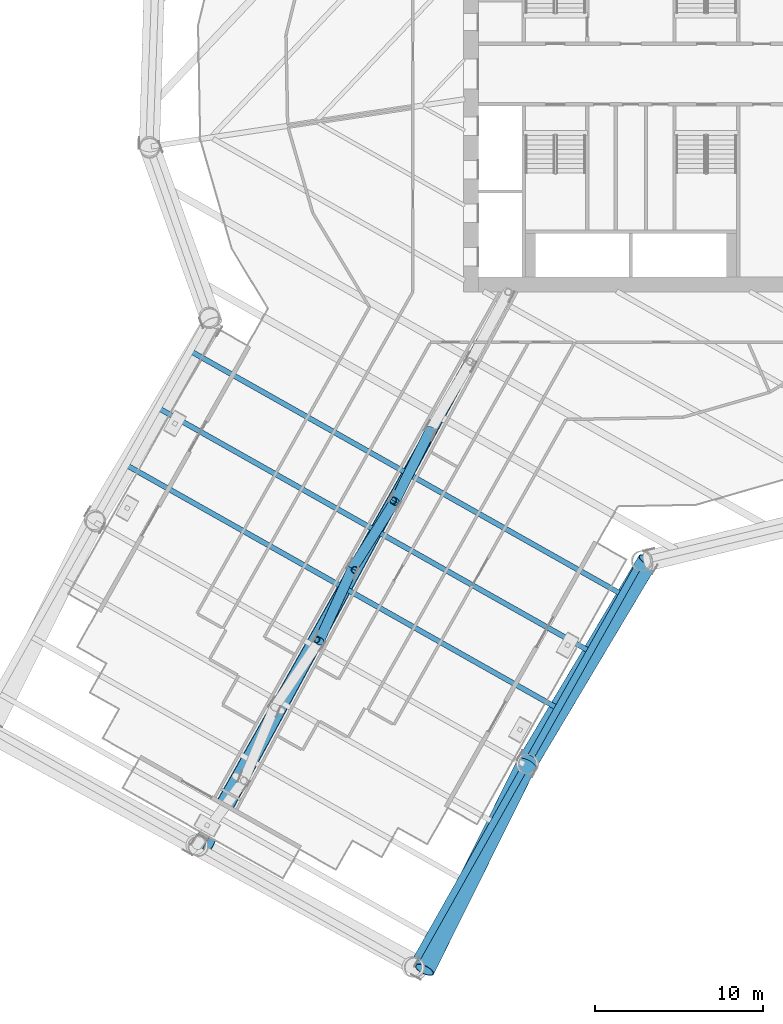
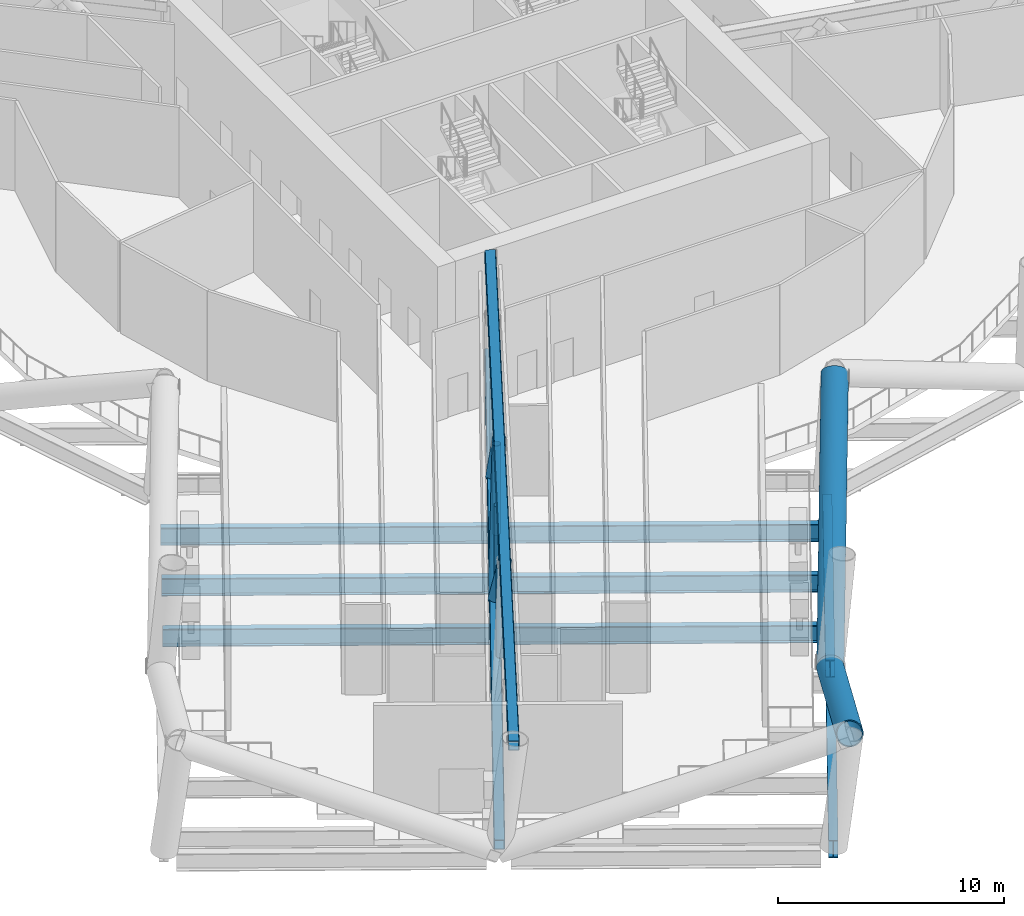
# One storey, part 2 of 39: 10 members, 5 beams.
"""IFC4 building model written with IfcOpenShell, lengths in metres."""

from ifc_helpers import new_model, si_unit, direction, frame, origin, origin_2d, place, context, subcontext, project, spatial, hollow_rectangle, hollow_circle, i_section, extrude, material, material_profile, profile_set, type_object, element, save


model = new_model("IFC4")

# Units and contexts
model_context = context("Model", 3, precision=1e-05, world=origin(), true_north=direction((0.0, 1.0)))
body_context = subcontext(model_context, "Body", "Model", "MODEL_VIEW")
ifc_project = project(units=[si_unit("LENGTHUNIT", "METRE"), si_unit("AREAUNIT", "SQUARE_METRE"), si_unit("VOLUMEUNIT", "CUBIC_METRE"), si_unit("PLANEANGLEUNIT", "RADIAN"), si_unit("MASSUNIT", "GRAM", prefix="KILO")], contexts=[model_context])

# Site, building, storey
site_placement = place(None, origin())
site = spatial("IfcSite", under=ifc_project, at=site_placement, CompositionType="ELEMENT")
building_placement = place(site_placement, origin())
building = spatial("IfcBuilding", under=site, at=building_placement, Name="Tarsis Ring Headquarters", CompositionType="ELEMENT")
storey_placement = place(building_placement, frame((0.0, 0.0, 86.800048828125)))
storey = spatial("IfcBuildingStorey", under=building, at=storey_placement, Name="L19", CompositionType="ELEMENT", Elevation=86.800048828125)

# Beams
ifc_material_1 = material(Name="Structural steel S355", Category="steel")
ifc_material_profile_1 = material_profile(ifc_material_1, i_section(OverallWidth=0.309814453125, OverallDepth=0.949951171875, WebThickness=0.0244140625, FlangeThickness=0.0439453125, at=origin_2d()), Name="W36x256")
ifc_profile_set_1 = profile_set([ifc_material_profile_1], Name="Structural steel S355")
beam_type_1 = type_object("IfcBeamType", Name="FB Floor beam W36x256", PredefinedType="JOIST", material=ifc_profile_set_1)
beam_placement = place(storey_placement, frame((-26.203857421875, -16.564697265625, -0.775146484375), z_axis=(0.871042112512, -0.491208345033, 0.0), x_axis=(0.491208345033, 0.871042112512, 0.0)))
element("IfcBeam", 1, at=beam_placement, inside=storey, type_object=beam_type_1, Name="Floor beam FB11", PredefinedType="JOIST", context=body_context, shape_type="SweptSolid", body=[
    extrude(i_section(OverallWidth=0.309814453125, OverallDepth=0.949951171875, WebThickness=0.0244140625, FlangeThickness=0.0439453125, at=origin_2d()), origin(), (0.0, 0.0, 1.0), 29.3759765625),
])
for number, where, z_axis, x_axis, name in (
    (2, (-28.119384765625, -19.961669921875, -0.775146484375), (0.871040107186, -0.49121190099, 0.0), (0.49121190099, 0.871040107186, 0.0), "Floor beam FB11"),
    (3, (-30.03515625, -23.35888671875, -0.775146484375), (0.871045668438, -0.491202039384, 0.0), (0.491202039384, 0.871045668438, 0.0), "Floor beam FB11"),
):
    element("IfcBeam", number, at=place(storey_placement, frame(where, z_axis=z_axis, x_axis=x_axis)), inside=storey, type_object=beam_type_1, Name=name, PredefinedType="JOIST", context=body_context, shape_type="SweptSolid", body=[
        extrude(i_section(OverallWidth=0.309814453125, OverallDepth=0.949951171875, WebThickness=0.0244140625, FlangeThickness=0.0439453125, at=origin_2d()), origin(), (0.0, 0.0, 1.0), 29.375732421875),
    ])

# Members
ifc_material_profile_2 = material_profile(ifc_material_1, hollow_rectangle(XDim=0.508056640625, YDim=0.508056640625, WallThickness=0.025390625, InnerFilletRadius=0.025390625, OuterFilletRadius=0.05078125, at=origin_2d()), Name="HSS 508x508x25")
ifc_profile_set_2 = profile_set([ifc_material_profile_2], Name="Structural steel S355")
member_type_1 = type_object("IfcMemberType", Name="OC Outrigger chord HSS 508x508x25", PredefinedType="CHORD", material=ifc_profile_set_2)
member_1_placement = place(storey_placement, frame((-7.3212890625, -13.0, 0.25390625), z_axis=(-0.490704262678, -0.871326188399, 0.0), x_axis=(0.871326188399, -0.490704262678, 0.0)))
element("IfcMember", 4, at=member_1_placement, inside=storey, type_object=member_type_1, Name="Outrigger chord OC1", PredefinedType="CHORD", context=body_context, shape_type="SweptSolid", body=[
    extrude(hollow_rectangle(XDim=0.508056640625, YDim=0.508056640625, WallThickness=0.025390625, InnerFilletRadius=0.025390625, OuterFilletRadius=0.05078125, at=origin_2d()), origin(), (0.0, 0.0, 1.0), 37.880126953125),
])
member_2_placement = place(storey_placement, frame((-7.3212890625, -13.0, 5.5859375), z_axis=(-0.475942407231, -0.879476449371, 0.0), x_axis=(0.879476449371, -0.475942407231, 0.0)))
element("IfcMember", 5, at=member_2_placement, inside=storey, type_object=member_type_1, Name="Outrigger chord OC1", PredefinedType="CHORD", context=body_context, shape_type="SweptSolid", body=[
    extrude(hollow_rectangle(XDim=0.508056640625, YDim=0.508056640625, WallThickness=0.025390625, InnerFilletRadius=0.025390625, OuterFilletRadius=0.05078125, at=origin_2d()), origin(), (0.0, 0.0, 1.0), 37.88134765625),
])
ifc_material_profile_3 = material_profile(ifc_material_1, hollow_circle(Radius=0.3046875, WallThickness=0.02490234375, at=origin_2d()), Name="CHS 610x25")
ifc_profile_set_3 = profile_set([ifc_material_profile_3], Name="Structural steel S355")
member_type_2 = type_object("IfcMemberType", Name="OD Outrigger diagonal CHS 610x25", PredefinedType="BRACE", material=ifc_profile_set_3)
member_3_placement = place(storey_placement, frame((-11.96826171875, -21.25146484375, 0.25390625), z_axis=(-0.296330123707, -0.594610913432, 0.747413084855), x_axis=(0.89501365189, -0.446038745998, 0.0)))
element("IfcMember", 6, at=member_3_placement, inside=storey, type_object=member_type_2, Name="Outrigger diagonal OD1", PredefinedType="BRACE", context=body_context, shape_type="SweptSolid", body=[
    extrude(hollow_circle(Radius=0.3046875, WallThickness=0.02490234375, at=origin_2d()), origin(), (0.0, 0.0, 1.0), 7.134033203125),
])
member_4_placement = place(storey_placement, frame((-14.082275390625, -25.493408203125, 5.5859375), z_axis=(-0.354954300149, -0.561871274346, -0.747200184603), x_axis=(0.845428958555, -0.534087891677, 0.0)))
element("IfcMember", 7, at=member_4_placement, inside=storey, type_object=member_type_2, Name="Outrigger diagonal OD1", PredefinedType="BRACE", context=body_context, shape_type="SweptSolid", body=[
    extrude(hollow_circle(Radius=0.3046875, WallThickness=0.02490234375, at=origin_2d()), origin(), (0.0, 0.0, 1.0), 7.135986328125),
])
member_5_placement = place(storey_placement, frame((-16.615234375, -29.5029296875, 0.25390625), z_axis=(-0.27650618016, -0.604914967157, 0.74674106278), x_axis=(0.909489470097, -0.415726958211, 0.0)))
element("IfcMember", 8, at=member_5_placement, inside=storey, type_object=member_type_2, Name="Outrigger diagonal OD1", PredefinedType="BRACE", context=body_context, shape_type="SweptSolid", body=[
    extrude(hollow_circle(Radius=0.3046875, WallThickness=0.02490234375, at=origin_2d()), origin(), (0.0, 0.0, 1.0), 7.140380859375),
])
ifc_material_profile_4 = material_profile(ifc_material_1, hollow_circle(Radius=0.203125, WallThickness=0.01611328125, at=origin_2d()), Name="CHS 406x16")
ifc_profile_set_4 = profile_set([ifc_material_profile_4], Name="Structural steel S355")
member_type_3 = type_object("IfcMemberType", Name="OV Outrigger post CHS 406x16", PredefinedType="STRUT", material=ifc_profile_set_4)
for number, where, z_axis, x_axis, name in (
    (9, (-14.18701171875, -25.435302734375, 0.508056640625), (0.0, 0.0, 1.0), (1.0, 0.0, 0.0), "Outrigger post OV1"),
    (10, (-16.4755859375, -29.580322265625, 0.508056640625), (0.0, 0.0, 1.0), (1.0, 0.0, 0.0), "Outrigger post OV1"),
    (11, (-18.76416015625, -33.7255859375, 0.508056640625), (0.0, 0.0, 1.0), (1.0, 0.0, 0.0), "Outrigger post OV1"),
):
    element("IfcMember", number, at=place(storey_placement, frame(where, z_axis=z_axis, x_axis=x_axis)), inside=storey, type_object=member_type_3, Name=name, PredefinedType="STRUT", context=body_context, shape_type="SweptSolid", body=[
        extrude(hollow_circle(Radius=0.203125, WallThickness=0.01611328125, at=origin_2d()), origin(), (0.0, 0.0, 1.0), 4.823974609375),
    ])
ifc_material_2 = material(Name="Structural steel S460", Category="steel")
ifc_material_profile_5 = material_profile(ifc_material_2, hollow_circle(Radius=0.609619140625, WallThickness=0.050048828125, at=origin_2d()), Name="CHS 1219x50")
ifc_profile_set_5 = profile_set([ifc_material_profile_5], Name="Structural steel S460")
member_type_4 = type_object("IfcMemberType", Name="TD Belt truss diagonal CHS 1219x50", PredefinedType="BRACE", material=ifc_profile_set_5)
member_6_placement = place(storey_placement, frame((-6.215576171875, -41.1513671875, 0.0), z_axis=(-0.407657450055, -0.820468514857, 0.400807708936), x_axis=(0.895549404925, -0.444962092023, 0.0)))
element("IfcMember", 12, at=member_6_placement, inside=storey, type_object=member_type_4, Name="Belt truss diagonal TD1", PredefinedType="BRACE", context=body_context, shape_type="SweptSolid", body=[
    extrude(hollow_circle(Radius=0.609619140625, WallThickness=0.050048828125, at=origin_2d()), origin(), (0.0, 0.0, 1.0), 14.9697265625),
])
member_7_placement = place(storey_placement, frame((-6.215576171875, -41.1513671875, 0.0), z_axis=(0.471170787337, 0.790486084868, 0.391318078794), x_axis=(-0.858985462301, 0.511999976129, 0.0)))
element("IfcMember", 13, at=member_7_placement, inside=storey, type_object=member_type_4, Name="Belt truss diagonal TD1", PredefinedType="BRACE", context=body_context, shape_type="SweptSolid", body=[
    extrude(hollow_circle(Radius=0.609619140625, WallThickness=0.050048828125, at=origin_2d()), origin(), (0.0, 0.0, 1.0), 15.332763671875),
])

# Beams
ifc_material_profile_6 = material_profile(ifc_material_1, i_section(OverallWidth=0.42431640625, OverallDepth=0.947509765625, WebThickness=0.02392578125, FlangeThickness=0.042724609375, at=origin_2d()), Name="W36x302")
ifc_profile_set_6 = profile_set([ifc_material_profile_6], Name="Structural steel S355")
beam_type_2 = type_object("IfcBeamType", Name="XG Ring girder W36x302", PredefinedType="BEAM", material=ifc_profile_set_6)
for number, where, z_axis, x_axis, name in (
    (14, (-12.77490234375, -52.782958984375, -0.4736328125), (0.491219567339, 0.871035783802, 0.0), (-0.871035783802, 0.491219567339, 0.0), "Ring girder XG1"),
    (15, (-5.946044921875, -40.673583984375, -0.4736328125), (0.491219567339, 0.871035783802, 0.0), (-0.871035783802, 0.491219567339, 0.0), "Ring girder XG1"),
):
    element("IfcBeam", number, at=place(storey_placement, frame(where, z_axis=z_axis, x_axis=x_axis)), inside=storey, type_object=beam_type_2, Name=name, PredefinedType="BEAM", context=body_context, shape_type="SweptSolid", body=[
        extrude(i_section(OverallWidth=0.42431640625, OverallDepth=0.947509765625, WebThickness=0.02392578125, FlangeThickness=0.042724609375, at=origin_2d()), origin(), (0.0, 0.0, 1.0), 12.804931640625),
    ])

save(model, "model.ifc")
